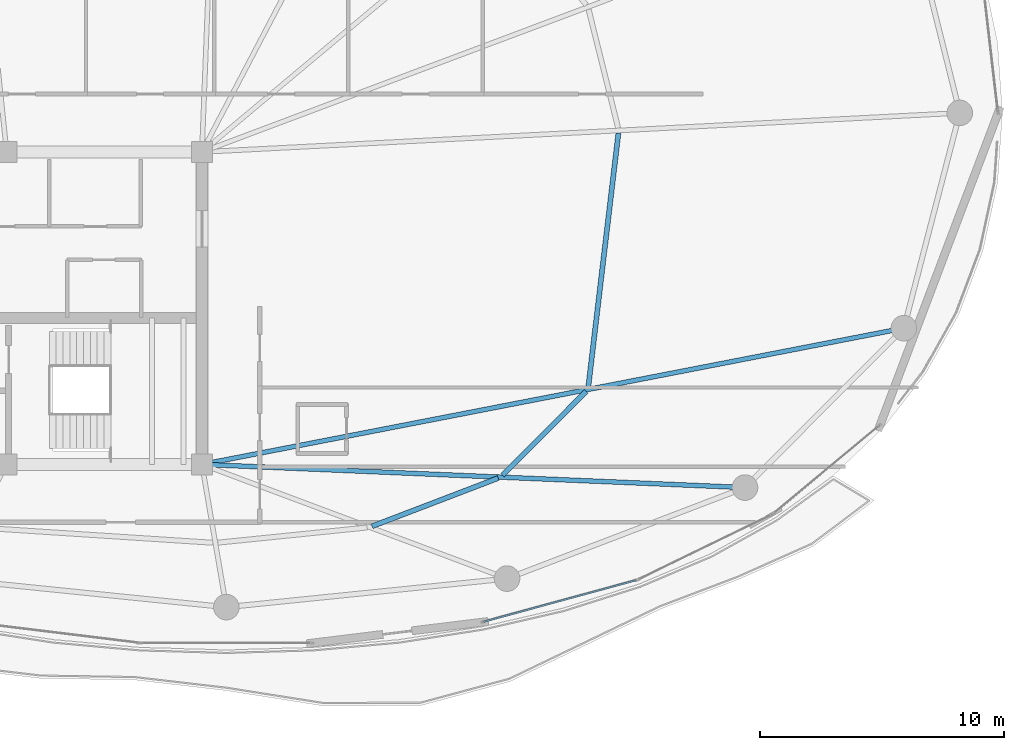
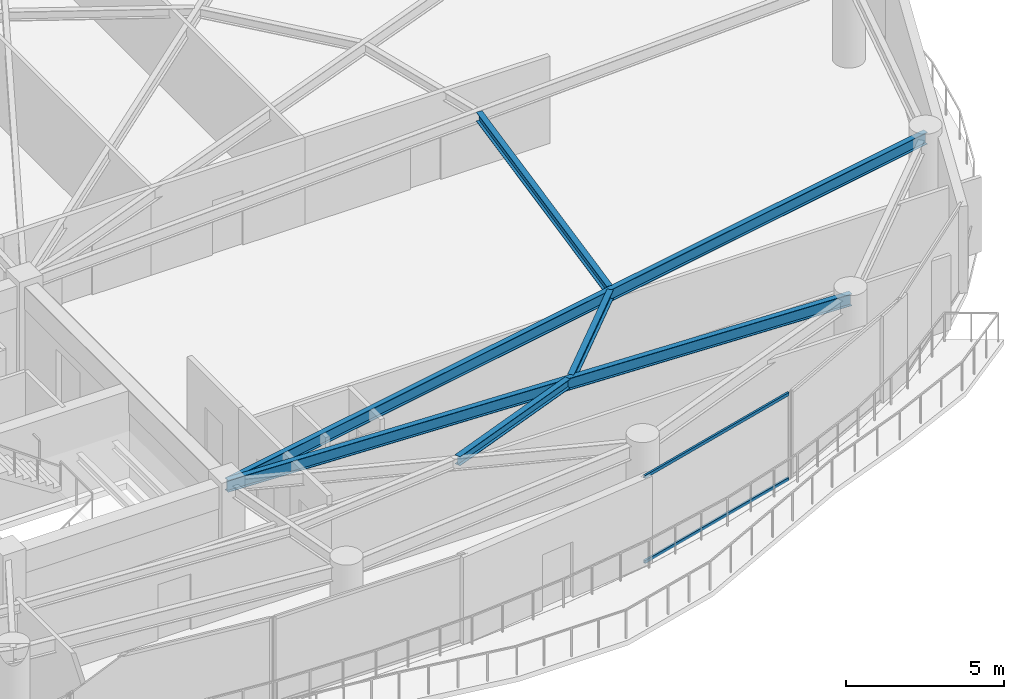
# One storey, part 12 of 31: 5 beams, 2 members, 1 element without a shape of its own.
"""IFC4 building model written with IfcOpenShell, lengths in metres."""

import ifcopenshell
import ifcopenshell.guid

model = None  # the IFC model being written
_history = None  # IfcOwnerHistory: only IFC2X3 demands one
_inside = {}  # id of a spatial element -> (the spatial element, [elements in it])
_under = {}  # id of a project, library or spatial element -> (it, [spatial elements below it])
_declared = {}  # id of a project -> (the project, [libraries it declares])
_typed = {}  # id of a type object -> (the type object, [elements of that type])
_made_of = {}  # id of a material, layer set ... -> (it, [elements and type objects made of it])


def new_model(schema):
    """Start an empty IFC model of exactly this schema.

    Asked for "IFC4X3", IfcOpenShell would pick the latest addendum, in which some entities
    have other attributes; the version numbers below select the first issue.
    IFC2X3 requires an IfcOwnerHistory on every rooted entity: one is made here for all.
    """
    global model, _history
    if schema == "IFC4X3":
        model = ifcopenshell.file(schema_version=(4, 3, 0, 0))
    else:
        model = ifcopenshell.file(schema=schema)
    _inside.clear()
    _under.clear()
    _declared.clear()
    _typed.clear()
    _made_of.clear()
    _history = None
    if model.schema == "IFC2X3":
        org = make("IfcOrganization", Name="unknown")
        user = make(
            "IfcPersonAndOrganization",
            ThePerson=make("IfcPerson", FamilyName="unknown"),
            TheOrganization=org,
        )
        app = make(
            "IfcApplication",
            ApplicationDeveloper=org,
            Version="unknown",
            ApplicationFullName="unknown",
            ApplicationIdentifier="unknown",
        )
        _history = make(
            "IfcOwnerHistory",
            OwningUser=user,
            OwningApplication=app,
            ChangeAction="ADDED",
            CreationDate=0,
        )
    return model


def make(cls, **values):
    """One entity of the class cls with the attributes given. An attribute that is None is left unset."""
    return model.create_entity(
        cls, **{name: value for name, value in values.items() if value is not None}
    )


def rooted(cls, **values):
    """An entity with a GlobalId (a new one), such as an element, a storey or a relation."""
    return make(cls, GlobalId=ifcopenshell.guid.new(), OwnerHistory=_history, **values)


def si_unit(unit_type, name, prefix=None):
    """IfcSIUnit, for example si_unit("LENGTHUNIT", "METRE", prefix="MILLI")."""
    return make("IfcSIUnit", UnitType=unit_type, Prefix=prefix, Name=name)


def assignment(units):
    """IfcUnitAssignment: the units of a project."""
    return None if units is None else make("IfcUnitAssignment", Units=units)


def point(xyz):
    """IfcCartesianPoint."""
    return None if xyz is None else make("IfcCartesianPoint", Coordinates=xyz)


def direction(xyz):
    """IfcDirection."""
    return None if xyz is None else make("IfcDirection", DirectionRatios=xyz)


def frame(location, z_axis=None, x_axis=None):
    """IfcAxis2Placement3D, a coordinate frame: its origin and axes. An axis left out is left unset."""
    return make(
        "IfcAxis2Placement3D",
        Location=point(location),
        Axis=direction(z_axis),
        RefDirection=direction(x_axis),
    )


def frame_2d(location, x_axis=None):
    """IfcAxis2Placement2D, a coordinate frame in the plane: its origin and x axis."""
    return make(
        "IfcAxis2Placement2D", Location=point(location), RefDirection=direction(x_axis)
    )


def origin():
    """The frame at (0, 0, 0) with its axes left unset."""
    return frame((0.0, 0.0, 0.0))


def origin_2d():
    """The frame at (0, 0) in the plane with its x axis left unset."""
    return frame_2d((0.0, 0.0))


def place(relative_to, where):
    """IfcLocalPlacement: puts the frame where relative to a parent placement (None: the world)."""
    return make(
        "IfcLocalPlacement", PlacementRelTo=relative_to, RelativePlacement=where
    )


def context(
    kind, dimensions, precision=None, world=None, true_north=None, identifier=None
):
    """IfcGeometricRepresentationContext, for example the 3D "Model" context."""
    return make(
        "IfcGeometricRepresentationContext",
        ContextIdentifier=identifier,
        ContextType=kind,
        CoordinateSpaceDimension=dimensions,
        Precision=precision,
        WorldCoordinateSystem=world,
        TrueNorth=true_north,
    )


def subcontext(parent, identifier, kind, view, scale=None):
    """IfcGeometricRepresentationSubContext, for example "Body" below "Model"."""
    return make(
        "IfcGeometricRepresentationSubContext",
        ContextIdentifier=identifier,
        ContextType=kind,
        ParentContext=parent,
        TargetScale=scale,
        TargetView=view,
    )


def project(units=None, contexts=None):
    """IfcProject with its units and contexts."""
    return rooted(
        "IfcProject",
        Name="project",
        RepresentationContexts=contexts,
        UnitsInContext=assignment(units),
    )


def spatial(cls, under=None, at=None, **own):
    """A site, building, storey or space (cls), placed at a placement, below another one or the project."""
    s = rooted(cls, ObjectPlacement=at, **own)
    if under is not None:
        _under.setdefault(under.id(), (under, []))[1].append(s)
    return s


def profile(cls, at=None, kind="AREA", **sizes):
    """A parametric profile (cls). Its sizes go by their IFC names, for example OverallWidth=200.0."""
    return make(cls, ProfileType=kind, Position=at, **sizes)


def hollow_rectangle(**sizes):
    """IfcRectangleHollowProfileDef."""
    return profile("IfcRectangleHollowProfileDef", **sizes)


def i_section(**sizes):
    """IfcIShapeProfileDef."""
    return profile("IfcIShapeProfileDef", **sizes)


def extrude(swept, where, along, depth):
    """IfcExtrudedAreaSolid: the profile swept, set in the frame where, extruded along a direction by depth."""
    return make(
        "IfcExtrudedAreaSolid",
        SweptArea=swept,
        Position=where,
        ExtrudedDirection=direction(along),
        Depth=depth,
    )


def shape(context_of_items, identifier, shape_type, items):
    """IfcShapeRepresentation: the items that make up one representation, for example the "Body"."""
    return make(
        "IfcShapeRepresentation",
        ContextOfItems=context_of_items,
        RepresentationIdentifier=identifier,
        RepresentationType=shape_type,
        Items=items,
    )


def material(Name=None, Category=None):
    """IfcMaterial."""
    return make("IfcMaterial", Name=Name, Category=Category)


def layer(
    of_material, thickness, ventilated=None, Name=None, Category=None, Priority=None
):
    """IfcMaterialLayer: one layer of a wall or slab, of a material (None: an air gap)."""
    return make(
        "IfcMaterialLayer",
        Material=of_material,
        LayerThickness=thickness,
        IsVentilated=ventilated,
        Name=Name,
        Category=Category,
        Priority=Priority,
    )


def layer_set(layers, Name=None):
    """IfcMaterialLayerSet."""
    return make("IfcMaterialLayerSet", MaterialLayers=layers, LayerSetName=Name)


def material_profile(
    of_material, cross_section, Name=None, Category=None, Priority=None
):
    """IfcMaterialProfile: a cross section and its material."""
    return make(
        "IfcMaterialProfile",
        Name=Name,
        Material=of_material,
        Profile=cross_section,
        Priority=Priority,
        Category=Category,
    )


def profile_set(profiles, Name=None, composite=None):
    """IfcMaterialProfileSet."""
    return make(
        "IfcMaterialProfileSet",
        Name=Name,
        MaterialProfiles=profiles,
        CompositeProfile=composite,
    )


def made_of(thing, what):
    """Note that an element or type object is made of a material, layer set ...; save() writes the relation."""
    if what is not None:
        _made_of.setdefault(what.id(), (what, []))[1].append(thing)
    return thing


def type_object(cls, material=None, **own):
    """A type object (cls), such as IfcWallType, which elements share."""
    return made_of(rooted(cls, **own), material)


def element(
    cls,
    number,
    at=None,
    inside=None,
    cuts=None,
    type_object=None,
    material=None,
    context=None,
    identifier="Body",
    shape_type=None,
    held_by="IfcProductDefinitionShape",
    body=None,
    shapes=None,
    **own,
):
    """One element of the class cls, such as IfcWall. Its Tag is "e" and its number.

    at: its placement. inside: the storey or other place that contains it. cuts: it is an
    opening in that element (IfcRelVoidsElement). A single representation is given by context,
    identifier, shape_type and body (its items); several are given by shapes. held_by: the class
    of the entity that holds the representations. save() writes the other relations.
    """
    e = rooted(cls, Tag="e%d" % number, ObjectPlacement=at, **own)
    if body is not None:
        shapes = [shape(context, identifier, shape_type, body)]
    if shapes is not None:
        e.Representation = make(held_by, Representations=shapes)
    if inside is not None:
        _inside.setdefault(inside.id(), (inside, []))[1].append(e)
    if cuts is not None:
        rooted(
            "IfcRelVoidsElement", RelatingBuildingElement=cuts, RelatedOpeningElement=e
        )
    if type_object is not None:
        _typed.setdefault(type_object.id(), (type_object, []))[1].append(e)
    return made_of(e, material)


def aggregate(whole, parts):
    """IfcRelAggregates: a whole, such as a stair, and the parts it consists of."""
    return rooted("IfcRelAggregates", RelatingObject=whole, RelatedObjects=parts)


def save(model, path):
    """Write the relations noted so far, then the file.

    IfcRelAggregates (storeys below a building ...), IfcRelContainedInSpatialStructure (elements
    in a storey), IfcRelDefinesByType, IfcRelAssociatesMaterial and IfcRelDeclares: one each for
    every whole, place, type object, material and project.
    """
    for whole, parts in _under.values():
        aggregate(whole, parts)
    for where, things in _inside.values():
        rooted(
            "IfcRelContainedInSpatialStructure",
            RelatedElements=things,
            RelatingStructure=where,
        )
    for kind, things in _typed.values():
        rooted("IfcRelDefinesByType", RelatedObjects=things, RelatingType=kind)
    for what, things in _made_of.values():
        rooted("IfcRelAssociatesMaterial", RelatedObjects=things, RelatingMaterial=what)
    for by, libraries in _declared.values():
        rooted("IfcRelDeclares", RelatingContext=by, RelatedDefinitions=libraries)
    model.write(path)


model = new_model("IFC4")

# Units and contexts
model_context = context("Model", 3, precision=1e-05, world=origin(), true_north=direction((0.0, 1.0)))
body_context = subcontext(model_context, "Body", "Model", "MODEL_VIEW")
ifc_project = project(units=[si_unit("LENGTHUNIT", "METRE"), si_unit("AREAUNIT", "SQUARE_METRE"), si_unit("VOLUMEUNIT", "CUBIC_METRE"), si_unit("PLANEANGLEUNIT", "RADIAN"), si_unit("MASSUNIT", "GRAM", prefix="KILO")], contexts=[model_context])

# Site, building, storey
site_placement = place(None, origin())
site = spatial("IfcSite", under=ifc_project, at=site_placement, CompositionType="ELEMENT")
building_placement = place(site_placement, origin())
building = spatial("IfcBuilding", under=site, at=building_placement, Name="Kazevale Care Tower and Concert Hall", CompositionType="ELEMENT")
storey_placement = place(building_placement, frame((0.0, 0.0, 217.199951171875)))
storey = spatial("IfcBuildingStorey", under=building, at=storey_placement, Name="L57", CompositionType="ELEMENT", Elevation=217.199951171875)

# Curtain wall, members
ifc_material_1 = material(Name="Aluminium 6063-T6 and Low-E Glass", Category="aluminium")
ifc_layer = layer(ifc_material_1, 0.179931640625)
ifc_layer_set = layer_set([ifc_layer], Name="Aluminium 6063-T6 and Low-E Glass")
curtain_wall_type = type_object("IfcCurtainWallType", Name="Sheltered Concave Balcony Curtain Wall CW-5", PredefinedType="NOTDEFINED", material=ifc_layer_set)
curtain_wall_placement = place(storey_placement, origin())
curtain_wall = element("IfcCurtainWall", 1, at=curtain_wall_placement, inside=storey, type_object=curtain_wall_type, Name="cw:L57:f04", PredefinedType="NOTDEFINED")
ifc_material_2 = material(Name="Aluminium 6063-T6", Category="aluminium")
ifc_material_profile_1 = material_profile(ifc_material_2, hollow_rectangle(XDim=0.074951171875, YDim=0.1201171875, WallThickness=0.00390625, at=origin_2d()), Name="ALU75x120x4")
ifc_profile_set_1 = profile_set([ifc_material_profile_1], Name="Aluminium 6063-T6")
member_type = type_object("IfcMemberType", Name="CW-5 Transom ALU75x120x4", PredefinedType="USERDEFINED", material=ifc_profile_set_1)
member_1_placement = place(storey_placement, frame((61.78369140625, 18.853271484375, 0.03759765625), z_axis=(-0.964843890632, -0.262823641842, 0.0), x_axis=(0.262823641842, -0.964843890632, 0.0)))
member_1 = element("IfcMember", 2, at=member_1_placement, type_object=member_type, Name="CW-5 transom 1.1", ObjectType="TRANSOM", PredefinedType="USERDEFINED", context=body_context, shape_type="SweptSolid", body=[
    extrude(hollow_rectangle(XDim=0.074951171875, YDim=0.1201171875, WallThickness=0.00390625, at=origin_2d()), origin(), (0.0, 0.0, 1.0), 6.469970703125),
])
member_2_placement = place(storey_placement, frame((61.78369140625, 18.853271484375, 3.322509765625), z_axis=(-0.964843890632, -0.262823641842, 0.0), x_axis=(0.262823641842, -0.964843890632, 0.0)))
member_2 = element("IfcMember", 3, at=member_2_placement, type_object=member_type, Name="CW-5 transom 1.2", ObjectType="TRANSOM", PredefinedType="USERDEFINED", context=body_context, shape_type="SweptSolid", body=[
    extrude(hollow_rectangle(XDim=0.074951171875, YDim=0.1201171875, WallThickness=0.00390625, at=origin_2d()), origin(), (0.0, 0.0, 1.0), 6.469970703125),
])
aggregate(curtain_wall, [member_1, member_2])

# Beams
ifc_material_3 = material(Name="Steel ASTM A572 Gr 50", Category="steel")
ifc_material_profile_2 = material_profile(ifc_material_3, i_section(OverallWidth=0.19091796875, OverallDepth=0.4599609375, WebThickness=0.010009765625, FlangeThickness=0.01611328125, at=origin_2d()), Name="W460x82")
ifc_profile_set_2 = profile_set([ifc_material_profile_2], Name="Steel ASTM A572 Gr 50")
beam_type_1 = type_object("IfcBeamType", Name="Radial Floor Beam W460x82", PredefinedType="BEAM", material=ifc_profile_set_2)
beam_1_placement = place(storey_placement, frame((44.0, 23.60009765625, 3.130126953125), z_axis=(0.999089369477, -0.042666518456, 0.0), x_axis=(0.042666518456, 0.999089369477, 0.0)))
element("IfcBeam", 4, at=beam_1_placement, inside=storey, type_object=beam_type_1, Name="beam:L57:rad:15", PredefinedType="BEAM", context=body_context, shape_type="SweptSolid", body=[
    extrude(i_section(OverallWidth=0.19091796875, OverallDepth=0.4599609375, WebThickness=0.010009765625, FlangeThickness=0.01611328125, at=origin_2d()), origin(), (0.0, 0.0, 1.0), 22.270263671875),
])
beam_2_placement = place(storey_placement, frame((44.0, 23.60009765625, 3.130126953125), z_axis=(0.981694544574, 0.190462125247, 0.0), x_axis=(-0.190462125247, 0.981694544574, 0.0)))
element("IfcBeam", 5, at=beam_2_placement, inside=storey, type_object=beam_type_1, Name="beam:L57:rad:16", PredefinedType="BEAM", context=body_context, shape_type="SweptSolid", body=[
    extrude(i_section(OverallWidth=0.19091796875, OverallDepth=0.4599609375, WebThickness=0.010009765625, FlangeThickness=0.01611328125, at=origin_2d()), origin(), (0.0, 0.0, 1.0), 29.29638671875),
])
ifc_material_profile_3 = material_profile(ifc_material_3, i_section(OverallWidth=0.205078125, OverallDepth=0.35400390625, WebThickness=0.009521484375, FlangeThickness=0.016845703125, at=origin_2d()), Name="W360x79")
ifc_profile_set_3 = profile_set([ifc_material_profile_3], Name="Steel ASTM A572 Gr 50")
beam_type_2 = type_object("IfcBeamType", Name="Secondary Floor Joist W360x79", PredefinedType="JOIST", material=ifc_profile_set_3)
beam_3_placement = place(storey_placement, frame((50.972900390625, 21.06396484375, 3.18310546875), z_axis=(0.934001589337, 0.35726884991, 0.0), x_axis=(-0.35726884991, 0.934001589337, 0.0)))
element("IfcBeam", 6, at=beam_3_placement, inside=storey, type_object=beam_type_2, Name="beam:L57:joist:14", PredefinedType="JOIST", context=body_context, shape_type="SweptSolid", body=[
    extrude(i_section(OverallWidth=0.205078125, OverallDepth=0.35400390625, WebThickness=0.009521484375, FlangeThickness=0.016845703125, at=origin_2d()), origin(), (0.0, 0.0, 1.0), 5.531005859375),
])
beam_4_placement = place(storey_placement, frame((56.31201171875, 23.152099609375, 3.18310546875), z_axis=(0.705975874919, 0.708235881633, 0.0), x_axis=(-0.708235881633, 0.705975874919, 0.0)))
element("IfcBeam", 7, at=beam_4_placement, inside=storey, type_object=beam_type_2, Name="beam:L57:joist:15", PredefinedType="JOIST", context=body_context, shape_type="SweptSolid", body=[
    extrude(i_section(OverallWidth=0.205078125, OverallDepth=0.35400390625, WebThickness=0.009521484375, FlangeThickness=0.016845703125, at=origin_2d()), origin(), (0.0, 0.0, 1.0), 4.861083984375),
])
beam_5_placement = place(storey_placement, frame((59.830078125, 26.77294921875, 3.18310546875), z_axis=(0.117874218468, 0.993028533639, 0.0), x_axis=(-0.993028533639, 0.117874218468, 0.0)))
element("IfcBeam", 8, at=beam_5_placement, inside=storey, type_object=beam_type_2, Name="beam:L57:joist:16", PredefinedType="JOIST", context=body_context, shape_type="SweptSolid", body=[
    extrude(i_section(OverallWidth=0.205078125, OverallDepth=0.35400390625, WebThickness=0.009521484375, FlangeThickness=0.016845703125, at=origin_2d()), origin(), (0.0, 0.0, 1.0), 10.47607421875),
])

save(model, "model.ifc")
